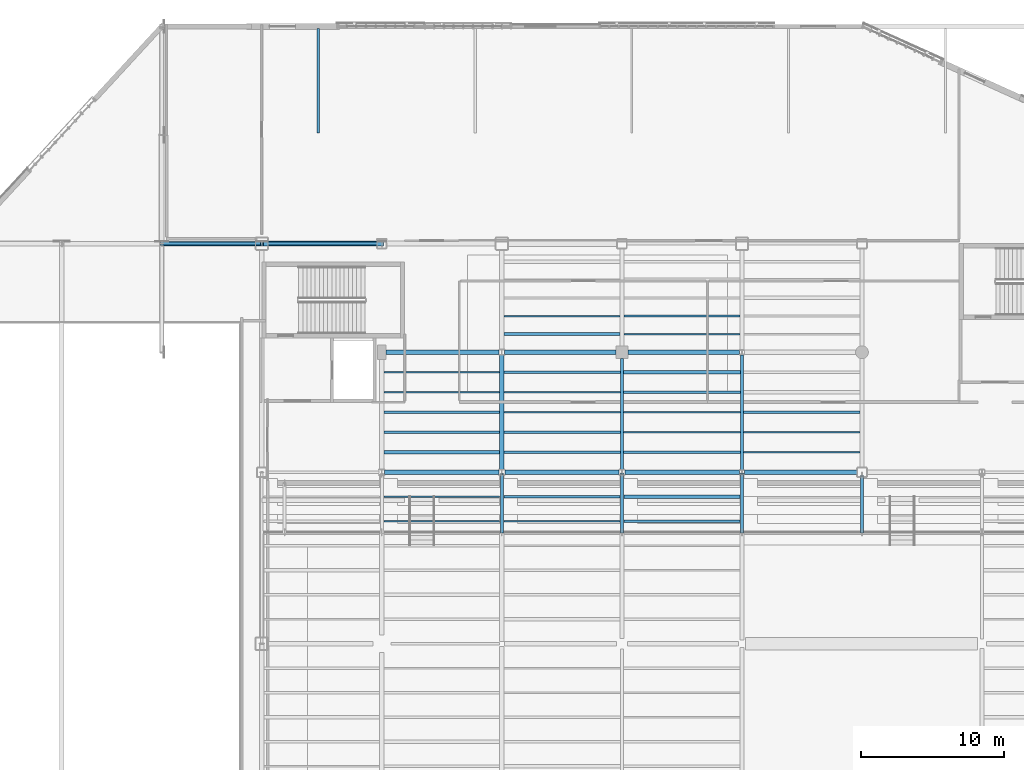
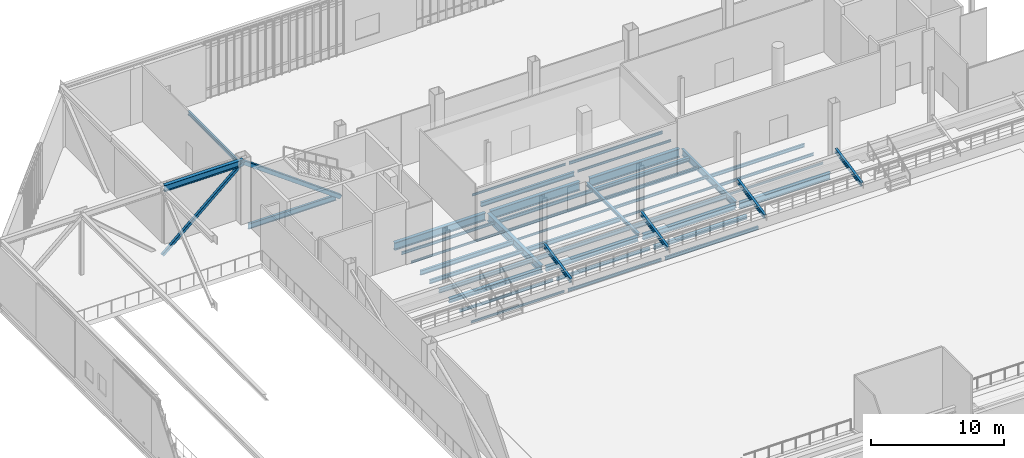
# One storey, part 28 of 135: 41 beams, 6 members.
"""IFC4 building model written with IfcOpenShell, lengths in metres."""

from ifc_helpers import new_model, si_unit, direction, frame, origin, origin_2d, place, context, subcontext, project, spatial, hollow_rectangle, i_section, extrude, material, material_profile, profile_set, type_object, element, save


model = new_model("IFC4")

# Units and contexts
model_context = context("Model", 3, precision=1e-05, world=origin(), true_north=direction((0.0, 1.0)))
body_context = subcontext(model_context, "Body", "Model", "MODEL_VIEW")
ifc_project = project(units=[si_unit("LENGTHUNIT", "METRE"), si_unit("AREAUNIT", "SQUARE_METRE"), si_unit("VOLUMEUNIT", "CUBIC_METRE"), si_unit("PLANEANGLEUNIT", "RADIAN"), si_unit("MASSUNIT", "GRAM", prefix="KILO")], contexts=[model_context])

# Site, building, storey
site_placement = place(None, origin())
site = spatial("IfcSite", under=ifc_project, at=site_placement, CompositionType="ELEMENT")
building_placement = place(site_placement, origin())
building = spatial("IfcBuilding", under=site, at=building_placement, Name="Larkvane Passage Sports Hall", CompositionType="ELEMENT")
storey_placement = place(building_placement, frame((0.0, 0.0, 10.800048828125)))
storey = spatial("IfcBuildingStorey", under=building, at=storey_placement, Name="L02", CompositionType="ELEMENT", Elevation=10.800048828125)

# Beams
ifc_material_1 = material(Name="Steel S355JR", Category="steel")
ifc_material_profile_1 = material_profile(ifc_material_1, i_section(OverallWidth=0.199951171875, OverallDepth=0.2939453125, WebThickness=0.008056640625, FlangeThickness=0.011962890625, FilletRadius=0.012939453125, at=origin_2d()), Name="H-294x200x8x12")
ifc_profile_set_1 = profile_set([ifc_material_profile_1], Name="Steel S355JR")
beam_type_1 = type_object("IfcBeamType", Name="BM-STL-H294", PredefinedType="BEAM", material=ifc_profile_set_1)
beam_1_placement = place(storey_placement, frame((60.0, 75.800048828125, -0.567138671875), z_axis=(0.0, 1.0, 0.0), x_axis=(-1.0, 0.0, 0.0)))
element("IfcBeam", 1, at=beam_1_placement, inside=storey, type_object=beam_type_1, Name="Girder BM5-Y-L02-9-0755", PredefinedType="BEAM", context=body_context, shape_type="SweptSolid", body=[
    extrude(i_section(OverallWidth=0.199951171875, OverallDepth=0.2939453125, WebThickness=0.008056640625, FlangeThickness=0.011962890625, FilletRadius=0.012939453125, at=origin_2d()), origin(), (0.0, 0.0, 1.0), 7.77490234375),
])
ifc_material_profile_2 = material_profile(ifc_material_1, i_section(OverallWidth=0.300048828125, OverallDepth=0.389892578125, WebThickness=0.010009765625, FlangeThickness=0.01611328125, FilletRadius=0.01806640625, at=origin_2d()), Name="H-390x300x10x16")
ifc_profile_set_2 = profile_set([ifc_material_profile_2], Name="Steel S355JR")
beam_type_2 = type_object("IfcBeamType", Name="BM-STL-H390", PredefinedType="BEAM", material=ifc_profile_set_2)
beam_2_placement = place(storey_placement, frame((43.403564453125, 75.60009765625, -0.614990234375), z_axis=(1.0, 0.0, 0.0), x_axis=(0.0, 1.0, 0.0)))
element("IfcBeam", 2, at=beam_2_placement, inside=storey, type_object=beam_type_2, Name="Girder BM5-X-L02-J-0717", PredefinedType="BEAM", context=body_context, shape_type="SweptSolid", body=[
    extrude(i_section(OverallWidth=0.300048828125, OverallDepth=0.389892578125, WebThickness=0.010009765625, FlangeThickness=0.01611328125, FilletRadius=0.01806640625, at=origin_2d()), origin(), (0.0, 0.0, 1.0), 7.993896484375),
])
ifc_material_profile_3 = material_profile(ifc_material_1, i_section(OverallWidth=0.300048828125, OverallDepth=0.43994140625, WebThickness=0.010986328125, FlangeThickness=0.01806640625, FilletRadius=0.01806640625, at=origin_2d()), Name="H-440x300x11x18")
ifc_profile_set_3 = profile_set([ifc_material_profile_3], Name="Steel S355JR")
beam_type_3 = type_object("IfcBeamType", Name="BM-STL-H440", PredefinedType="BEAM", material=ifc_profile_set_3)
beam_3_placement = place(storey_placement, frame((51.802490234375, 75.60009765625, -0.64013671875), z_axis=(1.0, 0.0, 0.0), x_axis=(0.0, 1.0, 0.0)))
element("IfcBeam", 3, at=beam_3_placement, inside=storey, type_object=beam_type_3, Name="Girder BM5-X-L02-J-0718", PredefinedType="BEAM", context=body_context, shape_type="SweptSolid", body=[
    extrude(i_section(OverallWidth=0.300048828125, OverallDepth=0.43994140625, WebThickness=0.010986328125, FlangeThickness=0.01806640625, FilletRadius=0.01806640625, at=origin_2d()), origin(), (0.0, 0.0, 1.0), 7.99755859375),
])
ifc_material_profile_4 = material_profile(ifc_material_1, i_section(OverallWidth=0.300048828125, OverallDepth=0.488037109375, WebThickness=0.010986328125, FlangeThickness=0.01806640625, FilletRadius=0.02197265625, at=origin_2d()), Name="H-488x300x11x18")
ifc_profile_set_4 = profile_set([ifc_material_profile_4], Name="Steel S355JR")
beam_type_4 = type_object("IfcBeamType", Name="BM-STL-H488", PredefinedType="BEAM", material=ifc_profile_set_4)
beam_4_placement = place(storey_placement, frame((60.199951171875, 75.60009765625, -0.6640625), z_axis=(1.0, 0.0, 0.0), x_axis=(0.0, 1.0, 0.0)))
element("IfcBeam", 4, at=beam_4_placement, inside=storey, type_object=beam_type_4, Name="Girder BM5-X-L02-J-0719", PredefinedType="BEAM", context=body_context, shape_type="SweptSolid", body=[
    extrude(i_section(OverallWidth=0.300048828125, OverallDepth=0.488037109375, WebThickness=0.010986328125, FlangeThickness=0.01806640625, FilletRadius=0.02197265625, at=origin_2d()), origin(), (0.0, 0.0, 1.0), 8.025146484375),
])
ifc_material_2 = material(Name="Steel S460N", Category="steel")
ifc_material_profile_5 = material_profile(ifc_material_2, i_section(OverallWidth=0.300048828125, OverallDepth=0.58203125, WebThickness=0.011962890625, FlangeThickness=0.01708984375, FilletRadius=0.02197265625, at=origin_2d()), Name="H-582x300x12x17")
ifc_profile_set_5 = profile_set([ifc_material_profile_5], Name="Steel S460N")
beam_type_5 = type_object("IfcBeamType", Name="BM-STL-H582", PredefinedType="BEAM", material=ifc_profile_set_5)
beam_5_placement = place(storey_placement, frame((68.574951171875, 75.60009765625, -0.7109375), z_axis=(1.0, 0.0, 0.0), x_axis=(0.0, 1.0, 0.0)))
element("IfcBeam", 5, at=beam_5_placement, inside=storey, type_object=beam_type_5, Name="Girder BM5-X-L02-J-0720", PredefinedType="BEAM", context=body_context, shape_type="SweptSolid", body=[
    extrude(i_section(OverallWidth=0.300048828125, OverallDepth=0.58203125, WebThickness=0.011962890625, FlangeThickness=0.01708984375, FilletRadius=0.02197265625, at=origin_2d()), origin(), (0.0, 0.0, 1.0), 7.875),
])
ifc_material_profile_6 = material_profile(ifc_material_2, i_section(OverallWidth=0.300048828125, OverallDepth=0.587890625, WebThickness=0.011962890625, FlangeThickness=0.02001953125, FilletRadius=0.02197265625, at=origin_2d()), Name="H-588x300x12x20")
ifc_profile_set_6 = profile_set([ifc_material_profile_6], Name="Steel S460N")
beam_type_6 = type_object("IfcBeamType", Name="BM-STL-H588", PredefinedType="BEAM", material=ifc_profile_set_6)
beam_6_placement = place(storey_placement, frame((27.955078125, 91.60009765625, 5.385986328125), z_axis=(1.0, 0.0, 0.0), x_axis=(0.0, 1.0, 0.0)))
element("IfcBeam", 6, at=beam_6_placement, inside=storey, type_object=beam_type_6, Name="Cantilever truss CT-W2A-2 top chord 3", PredefinedType="BEAM", context=body_context, shape_type="SweptSolid", body=[
    extrude(i_section(OverallWidth=0.300048828125, OverallDepth=0.587890625, WebThickness=0.011962890625, FlangeThickness=0.02001953125, FilletRadius=0.02197265625, at=origin_2d()), origin(), (0.0, 0.0, 1.0), 6.844970703125),
])
ifc_material_profile_7 = material_profile(ifc_material_1, i_section(OverallWidth=0.199951171875, OverallDepth=0.60009765625, WebThickness=0.010986328125, FlangeThickness=0.01708984375, FilletRadius=0.01806640625, at=origin_2d()), Name="H-600x200x11x17")
ifc_profile_set_7 = profile_set([ifc_material_profile_7], Name="Steel S355JR")
beam_type_7 = type_object("IfcBeamType", Name="BM-STL-H600", PredefinedType="BEAM", material=ifc_profile_set_7)
beam_7_placement = place(storey_placement, frame((68.39990234375, 75.77490234375, -0.719970703125), z_axis=(0.0, 1.0, 0.0), x_axis=(-1.0, 0.0, 0.0)))
element("IfcBeam", 7, at=beam_7_placement, inside=storey, type_object=beam_type_7, Name="Girder BM5-Y-L02-10-0761", PredefinedType="BEAM", context=body_context, shape_type="SweptSolid", body=[
    extrude(i_section(OverallWidth=0.199951171875, OverallDepth=0.60009765625, WebThickness=0.010986328125, FlangeThickness=0.01708984375, FilletRadius=0.01806640625, at=origin_2d()), origin(), (0.0, 0.0, 1.0), 8.050048828125),
])
ifc_material_profile_8 = material_profile(ifc_material_2, i_section(OverallWidth=0.300048828125, OverallDepth=0.69189453125, WebThickness=0.012939453125, FlangeThickness=0.02001953125, FilletRadius=0.02197265625, at=origin_2d()), Name="H-692x300x13x20")
ifc_profile_set_8 = profile_set([ifc_material_profile_8], Name="Steel S460N")
beam_type_8 = type_object("IfcBeamType", Name="BM-STL-H692", PredefinedType="BEAM", material=ifc_profile_set_8)
beam_8_placement = place(storey_placement, frame((51.60009765625, 75.806884765625, -0.76611328125), z_axis=(0.0, 1.0, 0.0), x_axis=(-1.0, 0.0, 0.0)))
element("IfcBeam", 8, at=beam_8_placement, inside=storey, type_object=beam_type_8, Name="Girder BM5-Y-L02-8-0749", PredefinedType="BEAM", context=body_context, shape_type="SweptSolid", body=[
    extrude(i_section(OverallWidth=0.300048828125, OverallDepth=0.69189453125, WebThickness=0.012939453125, FlangeThickness=0.02001953125, FilletRadius=0.02197265625, at=origin_2d()), origin(), (0.0, 0.0, 1.0), 7.9931640625),
])
ifc_material_profile_9 = material_profile(ifc_material_2, i_section(OverallWidth=0.300048828125, OverallDepth=0.699951171875, WebThickness=0.012939453125, FlangeThickness=0.02392578125, FilletRadius=0.02197265625, at=origin_2d()), Name="H-700x300x13x24")
ifc_profile_set_9 = profile_set([ifc_material_profile_9], Name="Steel S460N")
beam_type_9 = type_object("IfcBeamType", Name="BM-STL-H700", PredefinedType="BEAM", material=ifc_profile_set_9)
beam_9_placement = place(storey_placement, frame((43.5, 84.0, -0.77001953125), z_axis=(1.0, 0.0, 0.0), x_axis=(0.0, 1.0, 0.0)))
element("IfcBeam", 9, at=beam_9_placement, inside=storey, type_object=beam_type_9, Name="Girder BM5-X-L02-K-0724", PredefinedType="BEAM", context=body_context, shape_type="SweptSolid", body=[
    extrude(i_section(OverallWidth=0.300048828125, OverallDepth=0.699951171875, WebThickness=0.012939453125, FlangeThickness=0.02392578125, FilletRadius=0.02197265625, at=origin_2d()), origin(), (0.0, 0.0, 1.0), 7.89990234375),
])
ifc_material_profile_10 = material_profile(ifc_material_2, i_section(OverallWidth=0.300048828125, OverallDepth=0.7919921875, WebThickness=0.013916015625, FlangeThickness=0.02197265625, FilletRadius=0.02197265625, at=origin_2d()), Name="H-792x300x14x22")
ifc_profile_set_10 = profile_set([ifc_material_profile_10], Name="Steel S460N")
beam_type_10 = type_object("IfcBeamType", Name="BM-STL-H792", PredefinedType="BEAM", material=ifc_profile_set_10)
beam_10_placement = place(storey_placement, frame((51.800048828125, 84.0, -0.816162109375), z_axis=(1.0, 0.0, 0.0), x_axis=(0.0, 1.0, 0.0)))
element("IfcBeam", 10, at=beam_10_placement, inside=storey, type_object=beam_type_10, Name="Girder BM5-X-L02-K-0725", PredefinedType="BEAM", context=body_context, shape_type="SweptSolid", body=[
    extrude(i_section(OverallWidth=0.300048828125, OverallDepth=0.7919921875, WebThickness=0.013916015625, FlangeThickness=0.02197265625, FilletRadius=0.02197265625, at=origin_2d()), origin(), (0.0, 0.0, 1.0), 7.77490234375),
])
ifc_material_profile_11 = material_profile(ifc_material_2, i_section(OverallWidth=0.300048828125, OverallDepth=0.800048828125, WebThickness=0.013916015625, FlangeThickness=0.02587890625, FilletRadius=0.02197265625, at=origin_2d()), Name="H-800x300x14x26")
ifc_profile_set_11 = profile_set([ifc_material_profile_11], Name="Steel S460N")
beam_type_11 = type_object("IfcBeamType", Name="BM-STL-H800", PredefinedType="BEAM", material=ifc_profile_set_11)
beam_11_placement = place(storey_placement, frame((60.425048828125, 84.0, -0.820068359375), z_axis=(1.0, 0.0, 0.0), x_axis=(0.0, 1.0, 0.0)))
element("IfcBeam", 11, at=beam_11_placement, inside=storey, type_object=beam_type_11, Name="Girder BM5-X-L02-K-0726", PredefinedType="BEAM", context=body_context, shape_type="SweptSolid", body=[
    extrude(i_section(OverallWidth=0.300048828125, OverallDepth=0.800048828125, WebThickness=0.013916015625, FlangeThickness=0.02587890625, FilletRadius=0.02197265625, at=origin_2d()), origin(), (0.0, 0.0, 1.0), 7.800048828125),
])
ifc_material_profile_12 = material_profile(ifc_material_1, i_section(OverallWidth=0.10009765625, OverallDepth=0.199951171875, WebThickness=0.005615234375, FlangeThickness=0.008056640625, FilletRadius=0.008056640625, at=origin_2d()), Name="H-200x100x5.5x8")
ifc_profile_set_12 = profile_set([ifc_material_profile_12], Name="Steel S355JR")
beam_type_12 = type_object("IfcBeamType", Name="JST-STL-H200", PredefinedType="JOIST", material=ifc_profile_set_12)
for number, where, z_axis, x_axis, name in (
    (12, (43.35009765625, 72.17138671875, -0.52001953125), (1.0, 0.0, 0.0), (0.0, 1.0, 0.0), "Composite joist L02 7/H-5"),
    (13, (43.35009765625, 81.199951171875, -0.52001953125), (1.0, 0.0, 0.0), (0.0, 1.0, 0.0), "Composite joist L02 7/J-4"),
):
    element("IfcBeam", number, at=place(storey_placement, frame(where, z_axis=z_axis, x_axis=x_axis)), inside=storey, type_object=beam_type_12, Name=name, PredefinedType="JOIST", context=body_context, shape_type="SweptSolid", body=[
        extrude(i_section(OverallWidth=0.10009765625, OverallDepth=0.199951171875, WebThickness=0.005615234375, FlangeThickness=0.008056640625, FilletRadius=0.008056640625, at=origin_2d()), origin(), (0.0, 0.0, 1.0), 8.099853515625),
    ])
beam_12_placement = place(storey_placement, frame((51.75, 79.800048828125, -0.52001953125), z_axis=(1.0, 0.0, 0.0), x_axis=(0.0, 1.0, 0.0)))
element("IfcBeam", 14, at=beam_12_placement, inside=storey, type_object=beam_type_12, Name="Composite joist L02 8/J-3", PredefinedType="JOIST", context=body_context, shape_type="SweptSolid", body=[
    extrude(i_section(OverallWidth=0.10009765625, OverallDepth=0.199951171875, WebThickness=0.005615234375, FlangeThickness=0.008056640625, FilletRadius=0.008056640625, at=origin_2d()), origin(), (0.0, 0.0, 1.0), 8.14990234375),
])
beam_13_placement = place(storey_placement, frame((51.75, 86.533447265625, -0.52001953125), z_axis=(1.0, 0.0, 0.0), x_axis=(0.0, 1.0, 0.0)))
element("IfcBeam", 15, at=beam_13_placement, inside=storey, type_object=beam_type_12, Name="Composite joist L02 8/K-2", PredefinedType="JOIST", context=body_context, shape_type="SweptSolid", body=[
    extrude(i_section(OverallWidth=0.10009765625, OverallDepth=0.199951171875, WebThickness=0.005615234375, FlangeThickness=0.008056640625, FilletRadius=0.008056640625, at=origin_2d()), origin(), (0.0, 0.0, 1.0), 8.10009765625),
])
beam_14_placement = place(storey_placement, frame((60.10009765625, 78.39990234375, -0.52001953125), z_axis=(1.0, 0.0, 0.0), x_axis=(0.0, 1.0, 0.0)))
element("IfcBeam", 16, at=beam_14_placement, inside=storey, type_object=beam_type_12, Name="Composite joist L02 9/J-2", PredefinedType="JOIST", context=body_context, shape_type="SweptSolid", body=[
    extrude(i_section(OverallWidth=0.10009765625, OverallDepth=0.199951171875, WebThickness=0.005615234375, FlangeThickness=0.008056640625, FilletRadius=0.008056640625, at=origin_2d()), origin(), (0.0, 0.0, 1.0), 8.199951171875),
])
beam_15_placement = place(storey_placement, frame((60.14990234375, 85.2666015625, -0.52001953125), z_axis=(1.0, 0.0, 0.0), x_axis=(0.0, 1.0, 0.0)))
element("IfcBeam", 17, at=beam_15_placement, inside=storey, type_object=beam_type_12, Name="Composite joist L02 9/K-1", PredefinedType="JOIST", context=body_context, shape_type="SweptSolid", body=[
    extrude(i_section(OverallWidth=0.10009765625, OverallDepth=0.199951171875, WebThickness=0.005615234375, FlangeThickness=0.008056640625, FilletRadius=0.008056640625, at=origin_2d()), origin(), (0.0, 0.0, 1.0), 8.10009765625),
])
beam_16_placement = place(storey_placement, frame((68.5, 77.0, -0.52001953125), z_axis=(1.0, 0.0, 0.0), x_axis=(0.0, 1.0, 0.0)))
element("IfcBeam", 18, at=beam_16_placement, inside=storey, type_object=beam_type_12, Name="Composite joist L02 10/J-1", PredefinedType="JOIST", context=body_context, shape_type="SweptSolid", body=[
    extrude(i_section(OverallWidth=0.10009765625, OverallDepth=0.199951171875, WebThickness=0.005615234375, FlangeThickness=0.008056640625, FilletRadius=0.008056640625, at=origin_2d()), origin(), (0.0, 0.0, 1.0), 8.14990234375),
])
ifc_material_profile_13 = material_profile(ifc_material_1, i_section(OverallWidth=0.125, OverallDepth=0.25, WebThickness=0.006103515625, FlangeThickness=0.009033203125, FilletRadius=0.008056640625, at=origin_2d()), Name="H-250x125x6x9")
ifc_profile_set_13 = profile_set([ifc_material_profile_13], Name="Steel S355JR")
beam_type_13 = type_object("IfcBeamType", Name="JST-STL-H250", PredefinedType="JOIST", material=ifc_profile_set_13)
for number, where, z_axis, x_axis, name in (
    (19, (43.35009765625, 73.8857421875, -0.545166015625), (1.0, 0.0, 0.0), (0.0, 1.0, 0.0), "Composite joist L02 7/H-6"),
    (20, (43.35009765625, 82.60009765625, -0.545166015625), (1.0, 0.0, 0.0), (0.0, 1.0, 0.0), "Composite joist L02 7/J-5"),
):
    element("IfcBeam", number, at=place(storey_placement, frame(where, z_axis=z_axis, x_axis=x_axis)), inside=storey, type_object=beam_type_13, Name=name, PredefinedType="JOIST", context=body_context, shape_type="SweptSolid", body=[
        extrude(i_section(OverallWidth=0.125, OverallDepth=0.25, WebThickness=0.006103515625, FlangeThickness=0.009033203125, FilletRadius=0.008056640625, at=origin_2d()), origin(), (0.0, 0.0, 1.0), 8.099853515625),
    ])
beam_17_placement = place(storey_placement, frame((51.75, 72.17138671875, -0.545166015625), z_axis=(1.0, 0.0, 0.0), x_axis=(0.0, 1.0, 0.0)))
element("IfcBeam", 21, at=beam_17_placement, inside=storey, type_object=beam_type_13, Name="Composite joist L02 8/H-5", PredefinedType="JOIST", context=body_context, shape_type="SweptSolid", body=[
    extrude(i_section(OverallWidth=0.125, OverallDepth=0.25, WebThickness=0.006103515625, FlangeThickness=0.009033203125, FilletRadius=0.008056640625, at=origin_2d()), origin(), (0.0, 0.0, 1.0), 8.10009765625),
])
beam_18_placement = place(storey_placement, frame((51.75, 81.199951171875, -0.545166015625), z_axis=(1.0, 0.0, 0.0), x_axis=(0.0, 1.0, 0.0)))
element("IfcBeam", 22, at=beam_18_placement, inside=storey, type_object=beam_type_13, Name="Composite joist L02 8/J-4", PredefinedType="JOIST", context=body_context, shape_type="SweptSolid", body=[
    extrude(i_section(OverallWidth=0.125, OverallDepth=0.25, WebThickness=0.006103515625, FlangeThickness=0.009033203125, FilletRadius=0.008056640625, at=origin_2d()), origin(), (0.0, 0.0, 1.0), 8.14990234375),
])
beam_19_placement = place(storey_placement, frame((60.10009765625, 79.800048828125, -0.545166015625), z_axis=(1.0, 0.0, 0.0), x_axis=(0.0, 1.0, 0.0)))
element("IfcBeam", 23, at=beam_19_placement, inside=storey, type_object=beam_type_13, Name="Composite joist L02 9/J-3", PredefinedType="JOIST", context=body_context, shape_type="SweptSolid", body=[
    extrude(i_section(OverallWidth=0.125, OverallDepth=0.25, WebThickness=0.006103515625, FlangeThickness=0.009033203125, FilletRadius=0.008056640625, at=origin_2d()), origin(), (0.0, 0.0, 1.0), 8.199951171875),
])
beam_20_placement = place(storey_placement, frame((60.14990234375, 86.533447265625, -0.545166015625), z_axis=(1.0, 0.0, 0.0), x_axis=(0.0, 1.0, 0.0)))
element("IfcBeam", 24, at=beam_20_placement, inside=storey, type_object=beam_type_13, Name="Composite joist L02 9/K-2", PredefinedType="JOIST", context=body_context, shape_type="SweptSolid", body=[
    extrude(i_section(OverallWidth=0.125, OverallDepth=0.25, WebThickness=0.006103515625, FlangeThickness=0.009033203125, FilletRadius=0.008056640625, at=origin_2d()), origin(), (0.0, 0.0, 1.0), 8.10009765625),
])
beam_21_placement = place(storey_placement, frame((68.5, 78.39990234375, -0.545166015625), z_axis=(1.0, 0.0, 0.0), x_axis=(0.0, 1.0, 0.0)))
element("IfcBeam", 25, at=beam_21_placement, inside=storey, type_object=beam_type_13, Name="Composite joist L02 10/J-2", PredefinedType="JOIST", context=body_context, shape_type="SweptSolid", body=[
    extrude(i_section(OverallWidth=0.125, OverallDepth=0.25, WebThickness=0.006103515625, FlangeThickness=0.009033203125, FilletRadius=0.008056640625, at=origin_2d()), origin(), (0.0, 0.0, 1.0), 8.14990234375),
])
ifc_material_profile_14 = material_profile(ifc_material_1, i_section(OverallWidth=0.14990234375, OverallDepth=0.300048828125, WebThickness=0.006591796875, FlangeThickness=0.009033203125, FilletRadius=0.012939453125, at=origin_2d()), Name="H-300x150x6.5x9")
ifc_profile_set_14 = profile_set([ifc_material_profile_14], Name="Steel S355JR")
beam_type_14 = type_object("IfcBeamType", Name="JST-STL-H300", PredefinedType="JOIST", material=ifc_profile_set_14)
beam_22_placement = place(storey_placement, frame((51.75, 73.8857421875, -0.570068359375), z_axis=(1.0, 0.0, 0.0), x_axis=(0.0, 1.0, 0.0)))
element("IfcBeam", 26, at=beam_22_placement, inside=storey, type_object=beam_type_14, Name="Composite joist L02 8/H-6", PredefinedType="JOIST", context=body_context, shape_type="SweptSolid", body=[
    extrude(i_section(OverallWidth=0.14990234375, OverallDepth=0.300048828125, WebThickness=0.006591796875, FlangeThickness=0.009033203125, FilletRadius=0.012939453125, at=origin_2d()), origin(), (0.0, 0.0, 1.0), 8.10009765625),
])
beam_23_placement = place(storey_placement, frame((51.75, 82.60009765625, -0.570068359375), z_axis=(1.0, 0.0, 0.0), x_axis=(0.0, 1.0, 0.0)))
element("IfcBeam", 27, at=beam_23_placement, inside=storey, type_object=beam_type_14, Name="Composite joist L02 8/J-5", PredefinedType="JOIST", context=body_context, shape_type="SweptSolid", body=[
    extrude(i_section(OverallWidth=0.14990234375, OverallDepth=0.300048828125, WebThickness=0.006591796875, FlangeThickness=0.009033203125, FilletRadius=0.012939453125, at=origin_2d()), origin(), (0.0, 0.0, 1.0), 8.14990234375),
])
beam_24_placement = place(storey_placement, frame((60.14990234375, 72.17138671875, -0.570068359375), z_axis=(1.0, 0.0, 0.0), x_axis=(0.0, 1.0, 0.0)))
element("IfcBeam", 28, at=beam_24_placement, inside=storey, type_object=beam_type_14, Name="Composite joist L02 9/H-5", PredefinedType="JOIST", context=body_context, shape_type="SweptSolid", body=[
    extrude(i_section(OverallWidth=0.14990234375, OverallDepth=0.300048828125, WebThickness=0.006591796875, FlangeThickness=0.009033203125, FilletRadius=0.012939453125, at=origin_2d()), origin(), (0.0, 0.0, 1.0), 8.10009765625),
])
beam_25_placement = place(storey_placement, frame((60.10009765625, 81.199951171875, -0.570068359375), z_axis=(1.0, 0.0, 0.0), x_axis=(0.0, 1.0, 0.0)))
element("IfcBeam", 29, at=beam_25_placement, inside=storey, type_object=beam_type_14, Name="Composite joist L02 9/J-4", PredefinedType="JOIST", context=body_context, shape_type="SweptSolid", body=[
    extrude(i_section(OverallWidth=0.14990234375, OverallDepth=0.300048828125, WebThickness=0.006591796875, FlangeThickness=0.009033203125, FilletRadius=0.012939453125, at=origin_2d()), origin(), (0.0, 0.0, 1.0), 8.199951171875),
])
beam_26_placement = place(storey_placement, frame((68.5, 79.800048828125, -0.570068359375), z_axis=(1.0, 0.0, 0.0), x_axis=(0.0, 1.0, 0.0)))
element("IfcBeam", 30, at=beam_26_placement, inside=storey, type_object=beam_type_14, Name="Composite joist L02 10/J-3", PredefinedType="JOIST", context=body_context, shape_type="SweptSolid", body=[
    extrude(i_section(OverallWidth=0.14990234375, OverallDepth=0.300048828125, WebThickness=0.006591796875, FlangeThickness=0.009033203125, FilletRadius=0.012939453125, at=origin_2d()), origin(), (0.0, 0.0, 1.0), 8.14990234375),
])
ifc_material_profile_15 = material_profile(ifc_material_1, i_section(OverallWidth=0.25, OverallDepth=0.340087890625, WebThickness=0.009033203125, FlangeThickness=0.013916015625, FilletRadius=0.012939453125, at=origin_2d()), Name="H-340x250x9x14")
ifc_profile_set_15 = profile_set([ifc_material_profile_15], Name="Steel S355JR")
beam_type_15 = type_object("IfcBeamType", Name="JST-STL-H340", PredefinedType="JOIST", material=ifc_profile_set_15)
beam_27_placement = place(storey_placement, frame((43.35009765625, 77.0, -0.590087890625), z_axis=(1.0, 0.0, 0.0), x_axis=(0.0, 1.0, 0.0)))
element("IfcBeam", 31, at=beam_27_placement, inside=storey, type_object=beam_type_15, Name="Composite joist L02 7/J-1", PredefinedType="JOIST", context=body_context, shape_type="SweptSolid", body=[
    extrude(i_section(OverallWidth=0.25, OverallDepth=0.340087890625, WebThickness=0.009033203125, FlangeThickness=0.013916015625, FilletRadius=0.012939453125, at=origin_2d()), origin(), (0.0, 0.0, 1.0), 8.099853515625),
])
beam_28_placement = place(storey_placement, frame((60.14990234375, 73.8857421875, -0.590087890625), z_axis=(1.0, 0.0, 0.0), x_axis=(0.0, 1.0, 0.0)))
element("IfcBeam", 32, at=beam_28_placement, inside=storey, type_object=beam_type_15, Name="Composite joist L02 9/H-6", PredefinedType="JOIST", context=body_context, shape_type="SweptSolid", body=[
    extrude(i_section(OverallWidth=0.25, OverallDepth=0.340087890625, WebThickness=0.009033203125, FlangeThickness=0.013916015625, FilletRadius=0.012939453125, at=origin_2d()), origin(), (0.0, 0.0, 1.0), 8.10009765625),
])
beam_29_placement = place(storey_placement, frame((60.10009765625, 82.60009765625, -0.590087890625), z_axis=(1.0, 0.0, 0.0), x_axis=(0.0, 1.0, 0.0)))
element("IfcBeam", 33, at=beam_29_placement, inside=storey, type_object=beam_type_15, Name="Composite joist L02 9/J-5", PredefinedType="JOIST", context=body_context, shape_type="SweptSolid", body=[
    extrude(i_section(OverallWidth=0.25, OverallDepth=0.340087890625, WebThickness=0.009033203125, FlangeThickness=0.013916015625, FilletRadius=0.012939453125, at=origin_2d()), origin(), (0.0, 0.0, 1.0), 8.199951171875),
])
ifc_material_profile_16 = material_profile(ifc_material_1, i_section(OverallWidth=0.175048828125, OverallDepth=0.35009765625, WebThickness=0.007080078125, FlangeThickness=0.010986328125, FilletRadius=0.012939453125, at=origin_2d()), Name="H-350x175x7x11")
ifc_profile_set_16 = profile_set([ifc_material_profile_16], Name="Steel S355JR")
beam_type_16 = type_object("IfcBeamType", Name="JST-STL-H350", PredefinedType="JOIST", material=ifc_profile_set_16)
beam_30_placement = place(storey_placement, frame((43.35009765625, 78.39990234375, -0.594970703125), z_axis=(1.0, 0.0, 0.0), x_axis=(0.0, 1.0, 0.0)))
element("IfcBeam", 34, at=beam_30_placement, inside=storey, type_object=beam_type_16, Name="Composite joist L02 7/J-2", PredefinedType="JOIST", context=body_context, shape_type="SweptSolid", body=[
    extrude(i_section(OverallWidth=0.175048828125, OverallDepth=0.35009765625, WebThickness=0.007080078125, FlangeThickness=0.010986328125, FilletRadius=0.012939453125, at=origin_2d()), origin(), (0.0, 0.0, 1.0), 8.099853515625),
])
beam_31_placement = place(storey_placement, frame((51.75, 77.0, -0.594970703125), z_axis=(1.0, 0.0, 0.0), x_axis=(0.0, 1.0, 0.0)))
element("IfcBeam", 35, at=beam_31_placement, inside=storey, type_object=beam_type_16, Name="Composite joist L02 8/J-1", PredefinedType="JOIST", context=body_context, shape_type="SweptSolid", body=[
    extrude(i_section(OverallWidth=0.175048828125, OverallDepth=0.35009765625, WebThickness=0.007080078125, FlangeThickness=0.010986328125, FilletRadius=0.012939453125, at=origin_2d()), origin(), (0.0, 0.0, 1.0), 8.14990234375),
])
beam_32_placement = place(storey_placement, frame((38.7666015625, 99.360107421875, -0.594970703125), z_axis=(0.0, 1.0, 0.0), x_axis=(-1.0, 0.0, 0.0)))
element("IfcBeam", 36, at=beam_32_placement, inside=storey, type_object=beam_type_16, Name="Cantilever floor joist CT-N2A--3-1", PredefinedType="JOIST", context=body_context, shape_type="SweptSolid", body=[
    extrude(i_section(OverallWidth=0.175048828125, OverallDepth=0.35009765625, WebThickness=0.007080078125, FlangeThickness=0.010986328125, FilletRadius=0.012939453125, at=origin_2d()), origin(), (0.0, 0.0, 1.0), 7.27978515625),
])
ifc_material_profile_17 = material_profile(ifc_material_1, i_section(OverallWidth=0.199951171875, OverallDepth=0.39990234375, WebThickness=0.008056640625, FlangeThickness=0.012939453125, FilletRadius=0.012939453125, at=origin_2d()), Name="H-400x200x8x13")
ifc_profile_set_17 = profile_set([ifc_material_profile_17], Name="Steel S355JR")
beam_type_17 = type_object("IfcBeamType", Name="JST-STL-H400", PredefinedType="JOIST", material=ifc_profile_set_17)
beam_33_placement = place(storey_placement, frame((43.35009765625, 79.800048828125, -0.6201171875), z_axis=(1.0, 0.0, 0.0), x_axis=(0.0, 1.0, 0.0)))
element("IfcBeam", 37, at=beam_33_placement, inside=storey, type_object=beam_type_17, Name="Composite joist L02 7/J-3", PredefinedType="JOIST", context=body_context, shape_type="SweptSolid", body=[
    extrude(i_section(OverallWidth=0.199951171875, OverallDepth=0.39990234375, WebThickness=0.008056640625, FlangeThickness=0.012939453125, FilletRadius=0.012939453125, at=origin_2d()), origin(), (0.0, 0.0, 1.0), 8.099853515625),
])
beam_34_placement = place(storey_placement, frame((51.75, 78.39990234375, -0.6201171875), z_axis=(1.0, 0.0, 0.0), x_axis=(0.0, 1.0, 0.0)))
element("IfcBeam", 38, at=beam_34_placement, inside=storey, type_object=beam_type_17, Name="Composite joist L02 8/J-2", PredefinedType="JOIST", context=body_context, shape_type="SweptSolid", body=[
    extrude(i_section(OverallWidth=0.199951171875, OverallDepth=0.39990234375, WebThickness=0.008056640625, FlangeThickness=0.012939453125, FilletRadius=0.012939453125, at=origin_2d()), origin(), (0.0, 0.0, 1.0), 8.14990234375),
])
beam_35_placement = place(storey_placement, frame((51.75, 85.2666015625, -0.6201171875), z_axis=(1.0, 0.0, 0.0), x_axis=(0.0, 1.0, 0.0)))
element("IfcBeam", 39, at=beam_35_placement, inside=storey, type_object=beam_type_17, Name="Composite joist L02 8/K-1", PredefinedType="JOIST", context=body_context, shape_type="SweptSolid", body=[
    extrude(i_section(OverallWidth=0.199951171875, OverallDepth=0.39990234375, WebThickness=0.008056640625, FlangeThickness=0.012939453125, FilletRadius=0.012939453125, at=origin_2d()), origin(), (0.0, 0.0, 1.0), 8.10009765625),
])
beam_36_placement = place(storey_placement, frame((60.10009765625, 77.0, -0.6201171875), z_axis=(1.0, 0.0, 0.0), x_axis=(0.0, 1.0, 0.0)))
element("IfcBeam", 40, at=beam_36_placement, inside=storey, type_object=beam_type_17, Name="Composite joist L02 9/J-1", PredefinedType="JOIST", context=body_context, shape_type="SweptSolid", body=[
    extrude(i_section(OverallWidth=0.199951171875, OverallDepth=0.39990234375, WebThickness=0.008056640625, FlangeThickness=0.012939453125, FilletRadius=0.012939453125, at=origin_2d()), origin(), (0.0, 0.0, 1.0), 8.199951171875),
])

# Members
ifc_material_profile_18 = material_profile(ifc_material_2, hollow_rectangle(XDim=0.25, YDim=0.25, WallThickness=0.011962890625, InnerFilletRadius=0.011962890625, OuterFilletRadius=0.02392578125, at=origin_2d()), Name="SHS-250x250x12")
ifc_profile_set_18 = profile_set([ifc_material_profile_18], Name="Steel S460N")
member_type_1 = type_object("IfcMemberType", Name="MBR-BR-SHS250", PredefinedType="BRACE", material=ifc_profile_set_18)
member_1_placement = place(storey_placement, frame((27.800048828125, 91.60009765625, -0.714111328125), z_axis=(0.753904293317, 0.0, 0.656984258957), x_axis=(0.0, 1.0, 0.0)))
element("IfcMember", 41, at=member_1_placement, inside=storey, type_object=member_type_1, Name="Cantilever truss CT-W2A-2 web diagonal 3", PredefinedType="BRACE", context=body_context, shape_type="SweptSolid", body=[
    extrude(hollow_rectangle(XDim=0.25, YDim=0.25, WallThickness=0.011962890625, InnerFilletRadius=0.011962890625, OuterFilletRadius=0.02392578125, at=origin_2d()), origin(), (0.0, 0.0, 1.0), 9.284912109375),
])
ifc_material_profile_19 = material_profile(ifc_material_2, hollow_rectangle(XDim=0.35009765625, YDim=0.35009765625, WallThickness=0.01611328125, InnerFilletRadius=0.01611328125, OuterFilletRadius=0.031982421875, at=origin_2d()), Name="SHS-350x350x16")
ifc_profile_set_19 = profile_set([ifc_material_profile_19], Name="Steel S460N")
member_type_2 = type_object("IfcMemberType", Name="MBR-BR-SHS350", PredefinedType="BRACE", material=ifc_profile_set_19)
member_2_placement = place(storey_placement, frame((34.800048828125, 91.60009765625, 5.385986328125), z_axis=(0.809144712888, 0.0, -0.587609422665), x_axis=(0.0, 1.0, 0.0)))
element("IfcMember", 42, at=member_2_placement, inside=storey, type_object=member_type_2, Name="Cantilever truss CT-W2A-2 web diagonal 4", PredefinedType="BRACE", context=body_context, shape_type="SweptSolid", body=[
    extrude(hollow_rectangle(XDim=0.35009765625, YDim=0.35009765625, WallThickness=0.01611328125, InnerFilletRadius=0.01611328125, OuterFilletRadius=0.031982421875, at=origin_2d()), origin(), (0.0, 0.0, 1.0), 10.381103515625),
])
ifc_material_profile_20 = material_profile(ifc_material_1, i_section(OverallWidth=0.199951171875, OverallDepth=0.39990234375, WebThickness=0.008056640625, FlangeThickness=0.012939453125, FilletRadius=0.012939453125, at=origin_2d()), Name="H-400x200x8x13")
ifc_profile_set_20 = profile_set([ifc_material_profile_20], Name="Steel S355JR")
member_type_3 = type_object("IfcMemberType", Name="MBR-RF-H400", PredefinedType="RAFTER", material=ifc_profile_set_20)
member_3_placement = place(storey_placement, frame((51.60009765625, 71.39990234375, 0.849853515625), z_axis=(0.0, 0.980048746294, 0.198757276314), x_axis=(-1.0, 0.0, 0.0)))
element("IfcMember", 43, at=member_3_placement, inside=storey, type_object=member_type_3, Name="Arena stand raker N3", PredefinedType="RAFTER", context=body_context, shape_type="SweptSolid", body=[
    extrude(i_section(OverallWidth=0.199951171875, OverallDepth=0.39990234375, WebThickness=0.008056640625, FlangeThickness=0.012939453125, FilletRadius=0.012939453125, at=origin_2d()), origin(), (0.0, 0.0, 1.0), 4.17626953125),
])
member_4_placement = place(storey_placement, frame((60.0, 71.39990234375, 0.849853515625), z_axis=(0.0, 0.980024655413, 0.19887602868), x_axis=(-1.0, 0.0, 0.0)))
element("IfcMember", 44, at=member_4_placement, inside=storey, type_object=member_type_3, Name="Arena stand raker N4", PredefinedType="RAFTER", context=body_context, shape_type="SweptSolid", body=[
    extrude(i_section(OverallWidth=0.199951171875, OverallDepth=0.39990234375, WebThickness=0.008056640625, FlangeThickness=0.012939453125, FilletRadius=0.012939453125, at=origin_2d()), origin(), (0.0, 0.0, 1.0), 4.18359375),
])
member_5_placement = place(storey_placement, frame((68.39990234375, 71.39990234375, 0.849853515625), z_axis=(0.0, 0.980021250437, 0.19889280704), x_axis=(-1.0, 0.0, 0.0)))
element("IfcMember", 45, at=member_5_placement, inside=storey, type_object=member_type_3, Name="Arena stand raker N5", PredefinedType="RAFTER", context=body_context, shape_type="SweptSolid", body=[
    extrude(i_section(OverallWidth=0.199951171875, OverallDepth=0.39990234375, WebThickness=0.008056640625, FlangeThickness=0.012939453125, FilletRadius=0.012939453125, at=origin_2d()), origin(), (0.0, 0.0, 1.0), 4.208984375),
])
member_6_placement = place(storey_placement, frame((76.800048828125, 71.39990234375, 0.849853515625), z_axis=(0.0, 0.980052993395, 0.198736333209), x_axis=(-1.0, 0.0, 0.0)))
element("IfcMember", 46, at=member_6_placement, inside=storey, type_object=member_type_3, Name="Arena stand raker N6", PredefinedType="RAFTER", context=body_context, shape_type="SweptSolid", body=[
    extrude(i_section(OverallWidth=0.199951171875, OverallDepth=0.39990234375, WebThickness=0.008056640625, FlangeThickness=0.012939453125, FilletRadius=0.012939453125, at=origin_2d()), origin(), (0.0, 0.0, 1.0), 4.030517578125),
])

# Beam
ifc_material_profile_21 = material_profile(ifc_material_1, i_section(OverallWidth=0.199951171875, OverallDepth=0.5, WebThickness=0.010009765625, FlangeThickness=0.01611328125, FilletRadius=0.01806640625, at=origin_2d()), Name="H-500x200x10x16")
ifc_profile_set_21 = profile_set([ifc_material_profile_21], Name="Steel S355JR")
beam_type_18 = type_object("IfcBeamType", Name="SP-STL-H500", PredefinedType="SPANDREL", material=ifc_profile_set_21)
beam_37_placement = place(storey_placement, frame((35.25, 91.60009765625, -0.670166015625), z_axis=(1.0, 0.0, 0.0), x_axis=(0.0, 1.0, 0.0)))
element("IfcBeam", 47, at=beam_37_placement, inside=storey, type_object=beam_type_18, Name="Girder BM5-X-L02-L-0728", PredefinedType="SPANDREL", context=body_context, shape_type="SweptSolid", body=[
    extrude(i_section(OverallWidth=0.199951171875, OverallDepth=0.5, WebThickness=0.010009765625, FlangeThickness=0.01611328125, FilletRadius=0.01806640625, at=origin_2d()), origin(), (0.0, 0.0, 1.0), 7.60009765625),
])

save(model, "model.ifc")
